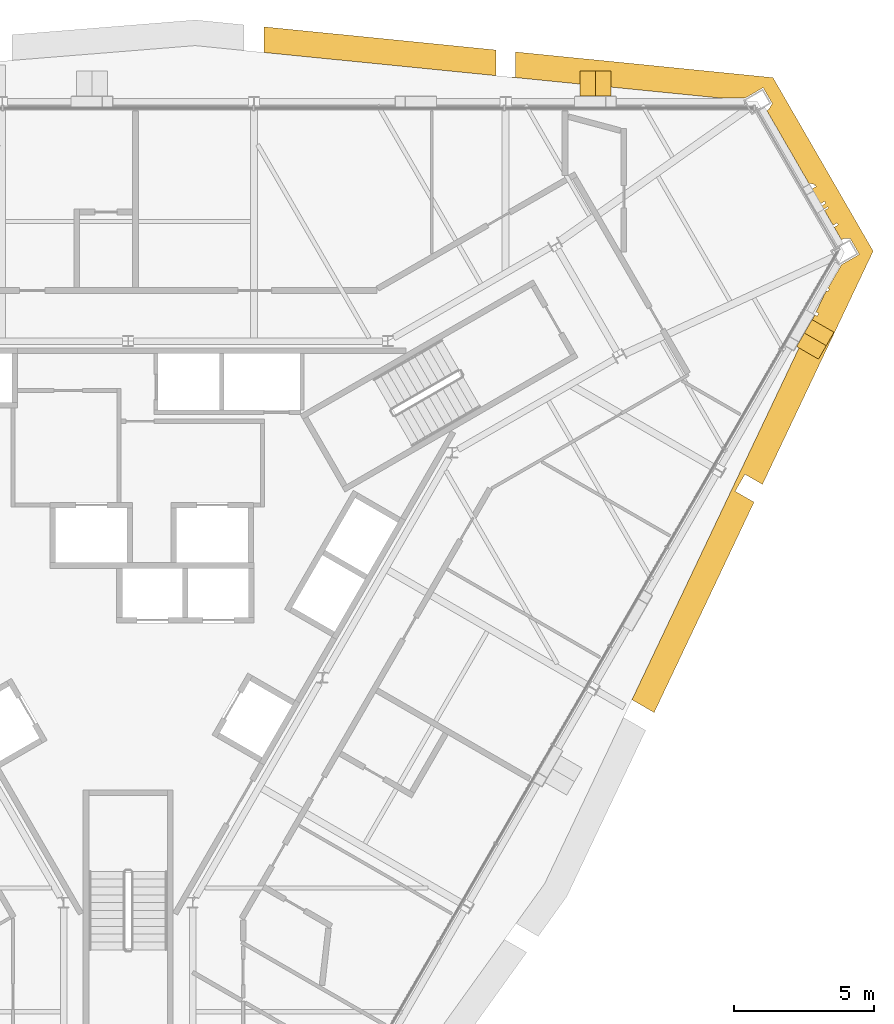
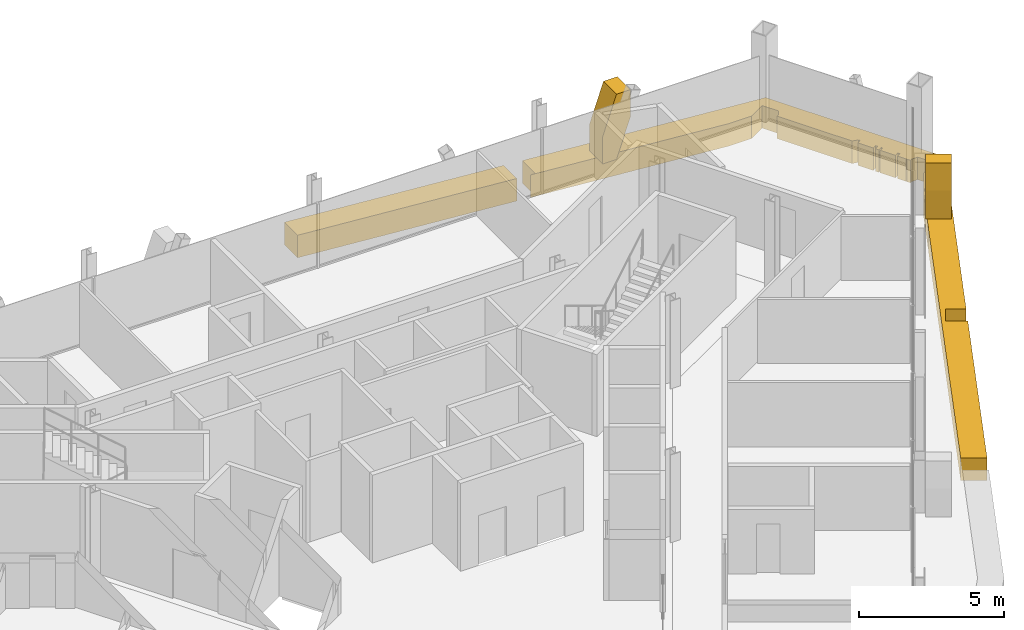
# One storey, part 16 of 16: 4 coverings.
"""IFC4 building model written with IfcOpenShell, lengths in metres."""

from ifc_helpers import new_model, si_unit, direction, frame, origin, place, context, subcontext, project, spatial, polyline, outline, extrude, material, layer, layer_set, type_object, element, save


model = new_model("IFC4")

# Units and contexts
model_context = context("Model", 3, precision=1e-05, world=origin(), true_north=direction((0.0, 1.0)))
body_context = subcontext(model_context, "Body", "Model", "MODEL_VIEW")
ifc_project = project(units=[si_unit("LENGTHUNIT", "METRE"), si_unit("AREAUNIT", "SQUARE_METRE"), si_unit("VOLUMEUNIT", "CUBIC_METRE"), si_unit("PLANEANGLEUNIT", "RADIAN"), si_unit("MASSUNIT", "GRAM", prefix="KILO")], contexts=[model_context])

# Site, building, storey
site_placement = place(None, origin())
site = spatial("IfcSite", under=ifc_project, at=site_placement, CompositionType="ELEMENT")
building_placement = place(site_placement, origin())
building = spatial("IfcBuilding", under=site, at=building_placement, Name="Verrane Prism Tower", CompositionType="ELEMENT")
storey_placement = place(building_placement, frame((0.0, 0.0, 239.699951171875)))
storey = spatial("IfcBuildingStorey", under=building, at=storey_placement, Name="L60", CompositionType="ELEMENT", Elevation=239.699951171875)

# Coverings
ifc_material_1 = material(Name="Warm limestone cladding", Category="masonry")
ifc_layer_1 = layer(ifc_material_1, 0.89990234375)
ifc_layer_set_1 = layer_set([ifc_layer_1], Name="Stone brace fin 900")
covering_type_1 = type_object("IfcCoveringType", Name="Stone brace fin 900", PredefinedType="CLADDING", material=ifc_layer_set_1)
covering_1_placement = place(storey_placement, frame((16.110107421875, 17.18310546875, 0.0), z_axis=(0.0, 0.0, 1.0), x_axis=(1.0, 0.0, 0.0)))
element("IfcCovering", 1, at=covering_1_placement, inside=storey, type_object=covering_type_1, Name="Stone brace fin N1 L60", PredefinedType="CLADDING", context=body_context, shape_type="SweptSolid", body=[
    extrude(outline(polyline([(1.10693359375, 2.75), (0.55126953125, 2.75), (0.0, 1.158447265625), (0.0, 0.0), (0.55126953125, 0.0), (1.10693359375, 1.6044921875), (1.10693359375, 2.75)])), frame((0.0, 0.449951171875, 0.0), z_axis=(0.0, -1.0, 0.0), x_axis=(1.0, 0.0, 0.0)), (0.0, 0.0, 1.0), 0.89990234375),
])
covering_2_placement = place(storey_placement, frame((24.772216796875, 8.5380859375, 0.0), z_axis=(0.0, 0.0, 1.0), x_axis=(-0.499461420326, -0.86633612969, 0.0)))
element("IfcCovering", 2, at=covering_2_placement, inside=storey, type_object=covering_type_1, Name="Stone brace fin SE5 L60", PredefinedType="CLADDING", context=body_context, shape_type="SweptSolid", body=[
    extrude(outline(polyline([(1.106689453125, 2.75), (0.551025390625, 2.75), (0.0, 1.15869140625), (0.0, 0.0), (0.55126953125, 0.0), (1.106689453125, 1.604248046875), (1.106689453125, 2.75)])), frame((0.0, 0.449951171875, 0.0), z_axis=(0.0, -1.0, 0.0), x_axis=(1.0, 0.0, 0.0)), (0.0, 0.0, 1.0), 0.89990234375),
])
ifc_material_2 = material(Name="Warm limestone cladding", Category="masonry")
ifc_layer_2 = layer(ifc_material_2, 0.449951171875)
ifc_layer_set_2 = layer_set([ifc_layer_2], Name="Stone spandrel band 450")
covering_type_2 = type_object("IfcCoveringType", Name="Stone spandrel band 450", PredefinedType="CLADDING", material=ifc_layer_set_2)
covering_3_placement = place(storey_placement, frame((0.0, 0.0, -0.949951171875)))
element("IfcCovering", 3, at=covering_3_placement, inside=storey, type_object=covering_type_2, Name="Stone spandrel band L60 part 2", PredefinedType="CLADDING", context=body_context, shape_type="SweptSolid", body=[
    extrude(outline(polyline([(13.809814453125, 18.304931640625), (13.809814453125, 17.416259765625), (13.62890625, 17.416259765625), (13.62841796875, 17.40869140625), (21.0966796875, 16.663330078125), (22.0009765625, 16.663330078125), (22.637451171875, 17.03076171875), (22.96728515625, 16.459228515625), (22.948486328125, 16.4482421875), (22.84033203125, 16.259033203125), (22.767578125, 16.217041015625), (24.263916015625, 13.625), (24.481201171875, 13.580322265625), (24.471923828125, 13.535888671875), (24.49658203125, 13.550048828125), (24.5224609375, 13.50537109375), (24.4580078125, 13.46826171875), (24.45751953125, 13.466064453125), (24.455078125, 13.466552734375), (24.38037109375, 13.42333984375), (24.685791015625, 12.89453125), (24.82763671875, 12.9765625), (24.86865234375, 12.905517578125), (24.726806640625, 12.823486328125), (24.797607421875, 12.700927734375), (24.939453125, 12.782958984375), (24.96533203125, 12.73828125), (24.8232421875, 12.65625), (25.12841796875, 12.127685546875), (25.2705078125, 12.20947265625), (25.3115234375, 12.138427734375), (25.16943359375, 12.056396484375), (25.3408203125, 11.760009765625), (25.366943359375, 11.7451171875), (25.358154296875, 11.729736328125), (25.427978515625, 11.608642578125), (25.49951171875, 11.64990234375), (25.718505859375, 11.64990234375), (25.7373046875, 11.660888671875), (26.0673828125, 11.089111328125), (25.431640625, 10.72216796875), (24.94580078125, 9.880859375), (24.99169921875, 9.86083984375), (24.949462890625, 9.764892578125), (24.89306640625, 9.78955078125), (24.819580078125, 9.662109375), (24.52001953125, 9.03076171875), (24.610107421875, 8.9912109375), (24.566162109375, 8.891357421875), (24.47314453125, 8.93212890625), (24.390380859375, 8.75830078125), (24.46630859375, 8.714599609375), (24.41162109375, 8.61962890625), (24.34326171875, 8.658935546875), (23.96337890625, 7.858642578125), (23.970458984375, 7.8544921875), (23.919921875, 7.766845703125), (23.880859375, 7.6845703125), (23.880859375, 7.682861328125), (23.8798828125, 7.682861328125), (17.961181640625, -4.78515625), (18.751708984375, -5.241455078125), (22.31103515625, 2.25634765625), (21.6376953125, 2.64501953125), (21.98779296875, 3.251220703125), (22.6123046875, 2.890869140625), (26.55859375, 11.20361328125), (22.9873046875, 17.388916015625), (13.809814453125, 18.304931640625)])), origin(), (0.0, 0.0, 1.0), 0.949951171875),
])
covering_4_placement = place(storey_placement, frame((0.0, 0.0, -0.949951171875)))
element("IfcCovering", 4, at=covering_4_placement, inside=storey, type_object=covering_type_2, Name="Stone spandrel band L60 part 8", PredefinedType="CLADDING", context=body_context, shape_type="SweptSolid", body=[
    extrude(outline(polyline([(4.836669921875, 18.2861328125), (13.109619140625, 17.46044921875), (13.109619140625, 18.374755859375), (4.836669921875, 19.200439453125), (4.836669921875, 18.2861328125)])), origin(), (0.0, 0.0, 1.0), 0.949951171875),
])

save(model, "model.ifc")
